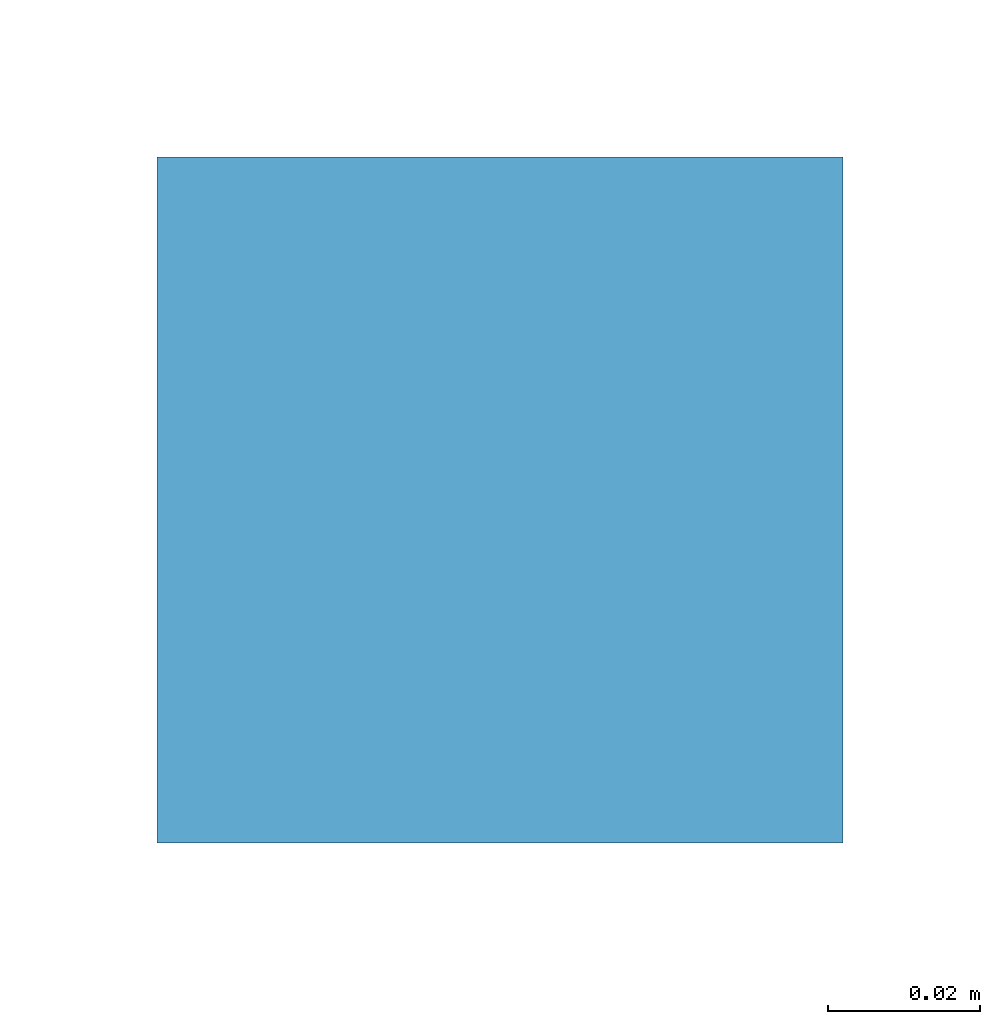
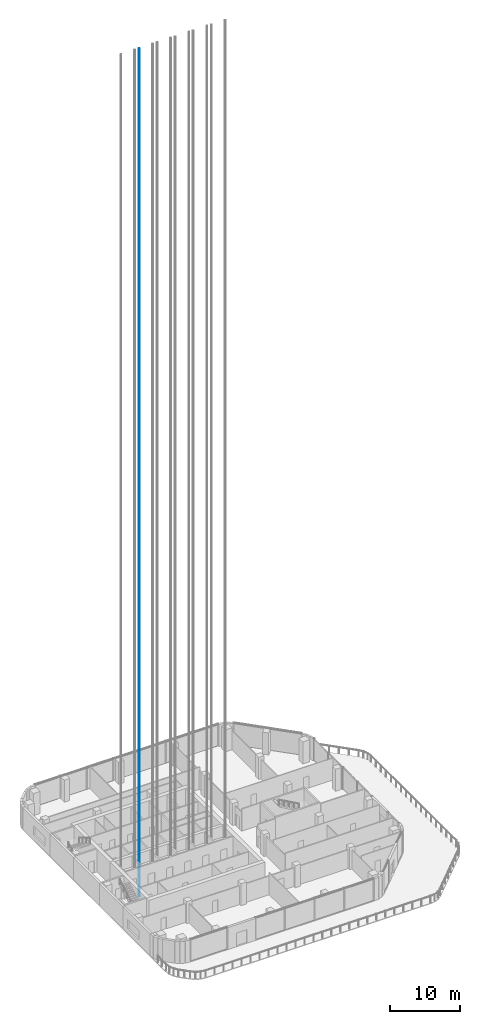
# One storey, part 7 of 29: 1 member.
"""IFC4 building model written with IfcOpenShell, lengths in metres."""

from ifc_helpers import new_model, si_unit, direction, frame, origin, origin_2d, place, context, subcontext, project, spatial, rectangle, extrude, material, material_profile, profile_set, type_object, element, save


model = new_model("IFC4")

# Units and contexts
model_context = context("Model", 3, precision=1e-05, world=origin(), true_north=direction((0.0, 1.0)))
body_context = subcontext(model_context, "Body", "Model", "MODEL_VIEW")
ifc_project = project(units=[si_unit("LENGTHUNIT", "METRE"), si_unit("AREAUNIT", "SQUARE_METRE"), si_unit("VOLUMEUNIT", "CUBIC_METRE"), si_unit("PLANEANGLEUNIT", "RADIAN"), si_unit("MASSUNIT", "GRAM", prefix="KILO")], contexts=[model_context])

# Site, building, storey
site_placement = place(None, origin())
site = spatial("IfcSite", under=ifc_project, at=site_placement, CompositionType="ELEMENT")
building_placement = place(site_placement, origin())
building = spatial("IfcBuilding", under=site, at=building_placement, Name="Cinnabar Reach Civic Tower", CompositionType="ELEMENT")
storey_placement = place(building_placement, frame((0.0, 0.0, 149.0)))
storey = spatial("IfcBuildingStorey", under=building, at=storey_placement, Name="L35", CompositionType="ELEMENT", Elevation=149.0)

# Member
ifc_material = material(Name="Steel Q355B", Category="steel")
ifc_material_profile = material_profile(ifc_material, rectangle(XDim=0.09, YDim=0.09, at=origin_2d()), Name="T1 lift guide rail")
ifc_profile_set = profile_set([ifc_material_profile], Name="Steel Q355B")
member_type = type_object("IfcMemberType", Name="T1 lift guide rail", PredefinedType="USERDEFINED", material=ifc_profile_set)
member_placement = place(storey_placement, frame((7.87, 30.0, -2.5), z_axis=(0.0, 0.0, 1.0), x_axis=(1.0, 0.0, 0.0)))
element("IfcMember", 1, at=member_placement, inside=storey, type_object=member_type, Name="T1-HR2 guide rail 1", ObjectType="GUIDE RAIL", PredefinedType="USERDEFINED", context=body_context, shape_type="SweptSolid", body=[
    extrude(rectangle(XDim=0.09, YDim=0.09, at=origin_2d()), origin(), (0.0, 0.0, 1.0), 148.5),
])

save(model, "model.ifc")
